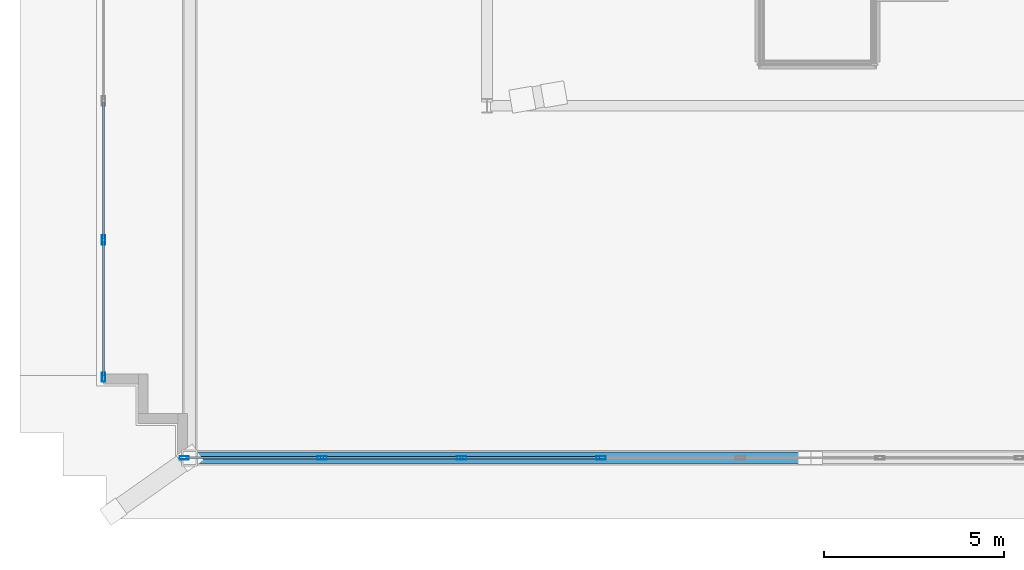
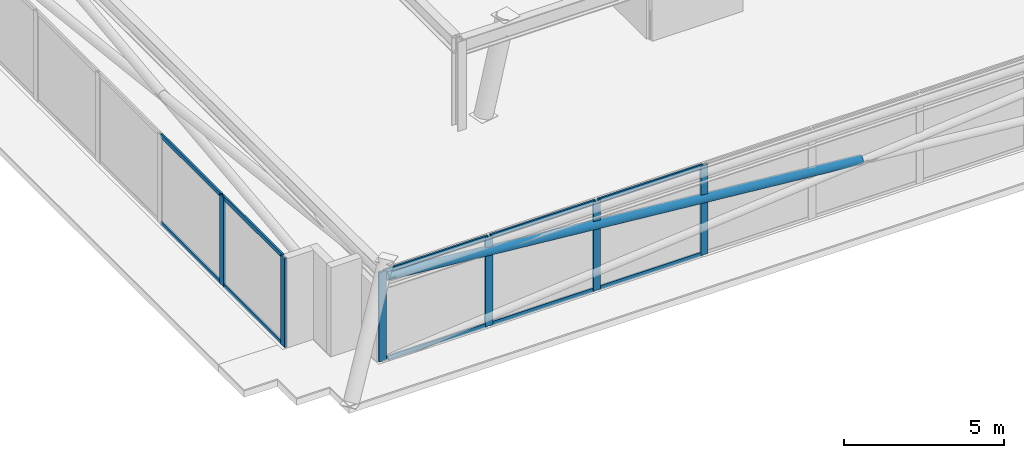
# One storey, part 2 of 22: 17 members, 2 elements without a shape of their own.
"""IFC4 building model written with IfcOpenShell, lengths in metres."""

from ifc_helpers import new_model, si_unit, direction, frame, origin, origin_2d, place, context, subcontext, project, spatial, hollow_rectangle, hollow_circle, extrude, material, layer, layer_set, material_profile, profile_set, type_object, element, aggregate, save


model = new_model("IFC4")

# Units and contexts
model_context = context("Model", 3, precision=1e-05, world=origin(), true_north=direction((0.0, 1.0)))
body_context = subcontext(model_context, "Body", "Model", "MODEL_VIEW")
ifc_project = project(units=[si_unit("LENGTHUNIT", "METRE"), si_unit("AREAUNIT", "SQUARE_METRE"), si_unit("VOLUMEUNIT", "CUBIC_METRE"), si_unit("PLANEANGLEUNIT", "RADIAN"), si_unit("MASSUNIT", "GRAM", prefix="KILO")], contexts=[model_context])

# Site, building, storey
site_placement = place(None, origin())
site = spatial("IfcSite", under=ifc_project, at=site_placement, CompositionType="ELEMENT")
building_placement = place(site_placement, origin())
building = spatial("IfcBuilding", under=site, at=building_placement, Name="Qobustan Lattice House", CompositionType="ELEMENT")
storey_placement = place(building_placement, frame((0.0, 0.0, 274.0)))
storey = spatial("IfcBuildingStorey", under=building, at=storey_placement, Name="L77", CompositionType="ELEMENT", Elevation=274.0)

# Curtain wall, members
ifc_material_1 = material(Name="Anodised aluminium and low-E glazing", Category="aluminium")
ifc_layer = layer(ifc_material_1, 0.219970703125)
ifc_layer_set = layer_set([ifc_layer], Name="Anodised aluminium and low-E glazing")
curtain_wall_type = type_object("IfcCurtainWallType", Name="CW-CRN-01", PredefinedType="USERDEFINED", material=ifc_layer_set)
curtain_wall_1_placement = place(storey_placement, origin())
curtain_wall_1 = element("IfcCurtainWall", 1, at=curtain_wall_1_placement, inside=storey, type_object=curtain_wall_type, Name="L77 glass-point crown faceted curtain wall 5", ObjectType="CURTAIN WALL", PredefinedType="USERDEFINED")
ifc_material_2 = material(Name="Anodised aluminium EN AW-6063 T6", Category="aluminium")
ifc_material_profile_1 = material_profile(ifc_material_2, hollow_rectangle(XDim=0.090087890625, YDim=0.260009765625, WallThickness=0.006103515625, at=origin_2d()), Name="CWM-CROWN-260x90")
ifc_profile_set_1 = profile_set([ifc_material_profile_1], Name="Anodised aluminium EN AW-6063 T6")
member_type_1 = type_object("IfcMemberType", Name="CWM-CRN-260", PredefinedType="MULLION", material=ifc_profile_set_1)
member_1_placement = place(storey_placement, frame((-19.87353515625, -13.156494140625, 0.0), z_axis=(0.0, 0.0, 1.0), x_axis=(-1.0, 0.0, 0.0)))
member_1 = element("IfcMember", 2, at=member_1_placement, type_object=member_type_1, Name="CW-CR mullion 1", PredefinedType="MULLION", context=body_context, shape_type="SweptSolid", body=[
    extrude(hollow_rectangle(XDim=0.090087890625, YDim=0.260009765625, WallThickness=0.006103515625, at=origin_2d()), origin(), (0.0, 0.0, 1.0), 3.39990234375),
])
member_2_placement = place(storey_placement, frame((-19.87353515625, -9.334228515625, 0.0), z_axis=(0.0, 0.0, 1.0), x_axis=(-1.0, 0.0, 0.0)))
member_2 = element("IfcMember", 3, at=member_2_placement, type_object=member_type_1, Name="CW-CR mullion 2", PredefinedType="MULLION", context=body_context, shape_type="SweptSolid", body=[
    extrude(hollow_rectangle(XDim=0.090087890625, YDim=0.260009765625, WallThickness=0.006103515625, at=origin_2d()), origin(), (0.0, 0.0, 1.0), 3.39990234375),
])

curtain_wall_2_placement = place(storey_placement, origin())
curtain_wall_2 = element("IfcCurtainWall", 4, at=curtain_wall_2_placement, inside=storey, type_object=curtain_wall_type, Name="L77 glass-point crown faceted curtain wall 20", ObjectType="CURTAIN WALL", PredefinedType="USERDEFINED")
member_3_placement = place(storey_placement, frame((-6.0244140625, -15.401611328125, 0.0), z_axis=(0.0, 0.0, 1.0), x_axis=(0.0, -1.0, 0.0)))
member_3 = element("IfcMember", 5, at=member_3_placement, type_object=member_type_1, Name="CW-CR mullion 7", PredefinedType="MULLION", context=body_context, shape_type="SweptSolid", body=[
    extrude(hollow_rectangle(XDim=0.090087890625, YDim=0.260009765625, WallThickness=0.006103515625, at=origin_2d()), origin(), (0.0, 0.0, 1.0), 3.39990234375),
])
member_4_placement = place(storey_placement, frame((-9.907470703125, -15.401611328125, 0.0), z_axis=(0.0, 0.0, 1.0), x_axis=(0.0, -1.0, 0.0)))
member_4 = element("IfcMember", 6, at=member_4_placement, type_object=member_type_1, Name="CW-CR mullion 8", PredefinedType="MULLION", context=body_context, shape_type="SweptSolid", body=[
    extrude(hollow_rectangle(XDim=0.090087890625, YDim=0.260009765625, WallThickness=0.006103515625, at=origin_2d()), origin(), (0.0, 0.0, 1.0), 3.39990234375),
])
member_5_placement = place(storey_placement, frame((-13.79052734375, -15.401611328125, 0.0), z_axis=(0.0, 0.0, 1.0), x_axis=(0.0, -1.0, 0.0)))
member_5 = element("IfcMember", 7, at=member_5_placement, type_object=member_type_1, Name="CW-CR mullion 9", PredefinedType="MULLION", context=body_context, shape_type="SweptSolid", body=[
    extrude(hollow_rectangle(XDim=0.090087890625, YDim=0.260009765625, WallThickness=0.006103515625, at=origin_2d()), origin(), (0.0, 0.0, 1.0), 3.39990234375),
])
member_6_placement = place(storey_placement, frame((-17.62841796875, -15.401611328125, 0.0), z_axis=(0.0, 0.0, 1.0), x_axis=(0.0, -1.0, 0.0)))
member_6 = element("IfcMember", 8, at=member_6_placement, type_object=member_type_1, Name="CW-CR mullion 10", PredefinedType="MULLION", context=body_context, shape_type="SweptSolid", body=[
    extrude(hollow_rectangle(XDim=0.090087890625, YDim=0.260009765625, WallThickness=0.006103515625, at=origin_2d()), origin(), (0.0, 0.0, 1.0), 3.39990234375),
])

# Member
ifc_material_3 = material(Name="Anodised aluminium EN AW-6063 T6", Category="aluminium")
ifc_material_profile_2 = material_profile(ifc_material_3, hollow_rectangle(XDim=0.06494140625, YDim=0.159912109375, WallThickness=0.00390625, at=origin_2d()), Name="CWT-160x65")
ifc_profile_set_2 = profile_set([ifc_material_profile_2], Name="Anodised aluminium EN AW-6063 T6")
member_type_2 = type_object("IfcMemberType", Name="CWT-HOR-160", PredefinedType="USERDEFINED", material=ifc_profile_set_2)
member_7_placement = place(storey_placement, frame((-19.87353515625, -13.111572265625, 0.032470703125), z_axis=(0.0, 1.0, 0.0), x_axis=(-1.0, 0.0, 0.0)))
member_7 = element("IfcMember", 9, at=member_7_placement, type_object=member_type_2, Name="CW-CR transom 1.1", ObjectType="TRANSOM", PredefinedType="USERDEFINED", context=body_context, shape_type="SweptSolid", body=[
    extrude(hollow_rectangle(XDim=0.06494140625, YDim=0.159912109375, WallThickness=0.00390625, at=origin_2d()), origin(), (0.0, 0.0, 1.0), 3.732177734375),
])

member_8_placement = place(storey_placement, frame((-19.87353515625, -13.111572265625, 3.367431640625), z_axis=(0.0, 1.0, 0.0), x_axis=(-1.0, 0.0, 0.0)))
member_8 = element("IfcMember", 10, at=member_8_placement, type_object=member_type_2, Name="CW-CR transom 1.2", ObjectType="TRANSOM", PredefinedType="USERDEFINED", context=body_context, shape_type="SweptSolid", body=[
    extrude(hollow_rectangle(XDim=0.06494140625, YDim=0.159912109375, WallThickness=0.00390625, at=origin_2d()), origin(), (0.0, 0.0, 1.0), 3.732177734375),
])

member_9_placement = place(storey_placement, frame((-19.87353515625, -9.289306640625, 0.032470703125), z_axis=(0.0, 1.0, 0.0), x_axis=(-1.0, 0.0, 0.0)))
member_9 = element("IfcMember", 11, at=member_9_placement, type_object=member_type_2, Name="CW-CR transom 2.1", ObjectType="TRANSOM", PredefinedType="USERDEFINED", context=body_context, shape_type="SweptSolid", body=[
    extrude(hollow_rectangle(XDim=0.06494140625, YDim=0.159912109375, WallThickness=0.00390625, at=origin_2d()), origin(), (0.0, 0.0, 1.0), 3.777099609375),
])

member_10_placement = place(storey_placement, frame((-19.87353515625, -9.289306640625, 3.367431640625), z_axis=(0.0, 1.0, 0.0), x_axis=(-1.0, 0.0, 0.0)))
member_10 = element("IfcMember", 12, at=member_10_placement, type_object=member_type_2, Name="CW-CR transom 2.2", ObjectType="TRANSOM", PredefinedType="USERDEFINED", context=body_context, shape_type="SweptSolid", body=[
    extrude(hollow_rectangle(XDim=0.06494140625, YDim=0.159912109375, WallThickness=0.00390625, at=origin_2d()), origin(), (0.0, 0.0, 1.0), 3.777099609375),
])

aggregate(curtain_wall_1, [member_1, member_2, member_7, member_8, member_9, member_10])

member_11_placement = place(storey_placement, frame((-6.069580078125, -15.401611328125, 0.032470703125), z_axis=(-1.0, 0.0, 0.0), x_axis=(0.0, -1.0, 0.0)))
member_11 = element("IfcMember", 13, at=member_11_placement, type_object=member_type_2, Name="CW-CR transom 7.1", ObjectType="TRANSOM", PredefinedType="USERDEFINED", context=body_context, shape_type="SweptSolid", body=[
    extrude(hollow_rectangle(XDim=0.06494140625, YDim=0.159912109375, WallThickness=0.00390625, at=origin_2d()), origin(), (0.0, 0.0, 1.0), 3.79296875),
])

member_12_placement = place(storey_placement, frame((-6.069580078125, -15.401611328125, 3.367431640625), z_axis=(-1.0, 0.0, 0.0), x_axis=(0.0, -1.0, 0.0)))
member_12 = element("IfcMember", 14, at=member_12_placement, type_object=member_type_2, Name="CW-CR transom 7.2", ObjectType="TRANSOM", PredefinedType="USERDEFINED", context=body_context, shape_type="SweptSolid", body=[
    extrude(hollow_rectangle(XDim=0.06494140625, YDim=0.159912109375, WallThickness=0.00390625, at=origin_2d()), origin(), (0.0, 0.0, 1.0), 3.79296875),
])

member_13_placement = place(storey_placement, frame((-9.952392578125, -15.401611328125, 0.032470703125), z_axis=(-1.0, 0.0, 0.0), x_axis=(0.0, -1.0, 0.0)))
member_13 = element("IfcMember", 15, at=member_13_placement, type_object=member_type_2, Name="CW-CR transom 8.1", ObjectType="TRANSOM", PredefinedType="USERDEFINED", context=body_context, shape_type="SweptSolid", body=[
    extrude(hollow_rectangle(XDim=0.06494140625, YDim=0.159912109375, WallThickness=0.00390625, at=origin_2d()), origin(), (0.0, 0.0, 1.0), 3.793212890625),
])

member_14_placement = place(storey_placement, frame((-9.952392578125, -15.401611328125, 3.367431640625), z_axis=(-1.0, 0.0, 0.0), x_axis=(0.0, -1.0, 0.0)))
member_14 = element("IfcMember", 16, at=member_14_placement, type_object=member_type_2, Name="CW-CR transom 8.2", ObjectType="TRANSOM", PredefinedType="USERDEFINED", context=body_context, shape_type="SweptSolid", body=[
    extrude(hollow_rectangle(XDim=0.06494140625, YDim=0.159912109375, WallThickness=0.00390625, at=origin_2d()), origin(), (0.0, 0.0, 1.0), 3.793212890625),
])

member_15_placement = place(storey_placement, frame((-13.83544921875, -15.401611328125, 0.032470703125), z_axis=(-1.0, 0.0, 0.0), x_axis=(0.0, -1.0, 0.0)))
member_15 = element("IfcMember", 17, at=member_15_placement, type_object=member_type_2, Name="CW-CR transom 9.1", ObjectType="TRANSOM", PredefinedType="USERDEFINED", context=body_context, shape_type="SweptSolid", body=[
    extrude(hollow_rectangle(XDim=0.06494140625, YDim=0.159912109375, WallThickness=0.00390625, at=origin_2d()), origin(), (0.0, 0.0, 1.0), 3.748046875),
])

member_16_placement = place(storey_placement, frame((-13.83544921875, -15.401611328125, 3.367431640625), z_axis=(-1.0, 0.0, 0.0), x_axis=(0.0, -1.0, 0.0)))
member_16 = element("IfcMember", 18, at=member_16_placement, type_object=member_type_2, Name="CW-CR transom 9.2", ObjectType="TRANSOM", PredefinedType="USERDEFINED", context=body_context, shape_type="SweptSolid", body=[
    extrude(hollow_rectangle(XDim=0.06494140625, YDim=0.159912109375, WallThickness=0.00390625, at=origin_2d()), origin(), (0.0, 0.0, 1.0), 3.748046875),
])

aggregate(curtain_wall_2, [member_3, member_4, member_5, member_6, member_11, member_12, member_13, member_14, member_15, member_16])

ifc_material_4 = material(Name="Steel S355", Category="steel")
ifc_material_profile_3 = material_profile(ifc_material_4, hollow_circle(Radius=0.161865234375, WallThickness=0.012451171875, at=origin_2d()), Name="CHS323.9x12.5")
ifc_profile_set_3 = profile_set([ifc_material_profile_3], Name="Steel S355")
member_type_3 = type_object("IfcMemberType", Name="MEM-CBR-CHS324", PredefinedType="BRACE", material=ifc_profile_set_3)
member_17_placement = place(storey_placement, frame((-0.3671875, -15.401611328125, 1.61279296875), z_axis=(-0.99582982333, 0.0, 0.091230274394), x_axis=(0.0, -1.0, 0.0)))
element("IfcMember", 19, at=member_17_placement, inside=storey, type_object=member_type_3, Name="L77 crown diagrid split brace 1B upper", PredefinedType="BRACE", context=body_context, shape_type="SweptSolid", body=[
    extrude(hollow_circle(Radius=0.161865234375, WallThickness=0.012451171875, at=origin_2d()), origin(), (0.0, 0.0, 1.0), 17.177734375),
])

save(model, "model.ifc")
